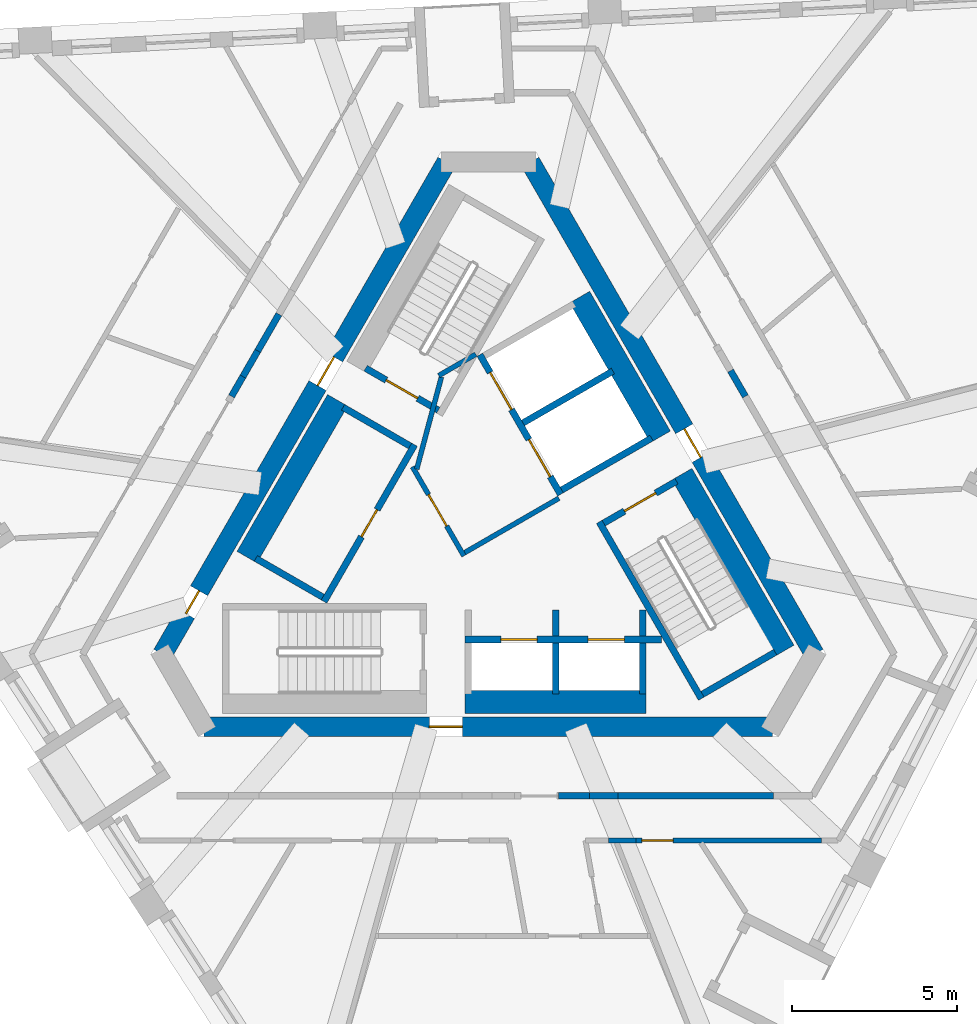
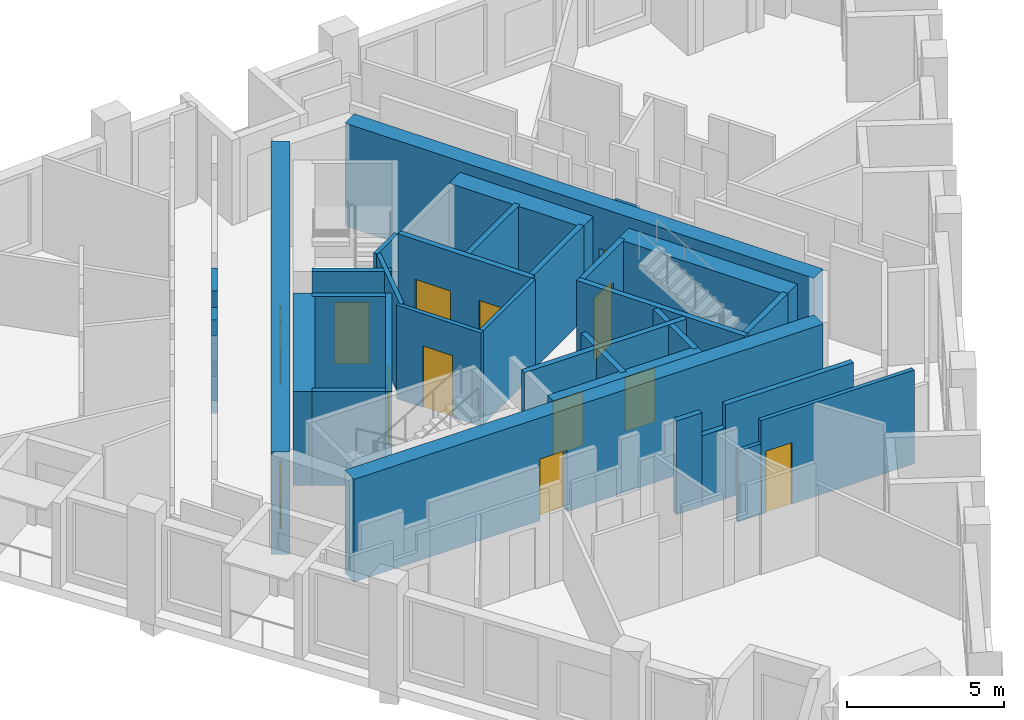
# One storey, part 4 of 12: 35 walls, 13 doors, 13 openings.
"""IFC4 building model written with IfcOpenShell, lengths in metres."""

from ifc_helpers import new_model, si_unit, direction, frame, frame_2d, origin, place, context, subcontext, project, spatial, rectangle, extrude, material, layer, layer_set, type_object, element, fill, save


model = new_model("IFC4")

# Units and contexts
model_context = context("Model", 3, precision=1e-05, world=origin(), true_north=direction((0.0, 1.0)))
body_context = subcontext(model_context, "Body", "Model", "MODEL_VIEW")
ifc_project = project(units=[si_unit("LENGTHUNIT", "METRE"), si_unit("AREAUNIT", "SQUARE_METRE"), si_unit("VOLUMEUNIT", "CUBIC_METRE"), si_unit("PLANEANGLEUNIT", "RADIAN"), si_unit("MASSUNIT", "GRAM", prefix="KILO")], contexts=[model_context])

# Site, building, storey
site_placement = place(None, origin())
site = spatial("IfcSite", under=ifc_project, at=site_placement, CompositionType="ELEMENT")
building_placement = place(site_placement, origin())
building = spatial("IfcBuilding", under=site, at=building_placement, Name="Tramontana Tower", CompositionType="ELEMENT")
storey_placement = place(building_placement, frame((0.0, 0.0, 274.39990234375)))
storey = spatial("IfcBuildingStorey", under=building, at=storey_placement, Name="L64", CompositionType="ELEMENT", Elevation=274.39990234375)

# Wall, openings, doors
ifc_material_1 = material(Name="Concrete 70 MPa", Category="concrete")
ifc_layer_1 = layer(ifc_material_1, 0.60009765625)
ifc_layer_set_1 = layer_set([ifc_layer_1], Name="Core wall 600 70 MPa")
wall_type_1 = type_object("IfcWallType", Name="Core wall 600 70 MPa", PredefinedType="SHEAR", material=ifc_layer_set_1)
wall_1_placement = place(storey_placement, frame((-1.270263671875, 10.699951171875, 0.0), z_axis=(0.0, 0.0, 1.0), x_axis=(-0.499999536116, -0.866025671608, 0.0)))
wall_1 = element("IfcWall", 1, at=wall_1_placement, inside=storey, type_object=wall_type_1, Name="Core wall C1 L64", PredefinedType="SHEAR", context=body_context, shape_type="SweptSolid", body=[
    extrude(rectangle(XDim=17.2626953125, YDim=0.60009765625, at=frame_2d((8.63134765625, 0.0))), origin(), (0.0, 0.0, 1.0), 4.0),
])
opening_1_placement = place(wall_1_placement, frame((6.83642578125, 0.0, 0.0)))
opening_1 = element("IfcOpeningElement", 2, at=opening_1_placement, cuts=wall_1, Name="Opening RG1", PredefinedType="OPENING", context=body_context, shape_type="SweptSolid", body=[
    extrude(rectangle(XDim=1.0, YDim=2.39990234375, at=frame_2d((0.5, 1.199951171875))), frame((0.0, 0.31005859375, 0.0), z_axis=(0.0, -1.0, 0.0), x_axis=(1.0, 0.0, 0.0)), (0.0, 0.0, 1.0), 0.6201171875),
])
opening_2_placement = place(wall_1_placement, frame((15.0341796875, 0.0, 0.0)))
opening_2 = element("IfcOpeningElement", 3, at=opening_2_placement, cuts=wall_1, Name="Opening PD1", PredefinedType="OPENING", context=body_context, shape_type="SweptSolid", body=[
    extrude(rectangle(XDim=0.800048828125, YDim=2.10009765625, at=frame_2d((0.39990234375, 1.050048828125))), frame((0.0, 0.31005859375, 0.0), z_axis=(0.0, -1.0, 0.0), x_axis=(1.0, 0.0, 0.0)), (0.0, 0.0, 1.0), 0.6201171875),
])
ifc_material_2 = material(Name="Painted steel", Category="steel")
door_type_1 = type_object("IfcDoorType", Name="CUPBOARD DOOR 800", OperationType="SINGLE_SWING_LEFT", PredefinedType="DOOR", material=ifc_material_2)
door_1_placement = place(opening_2_placement, origin())
door_1 = element("IfcDoor", 4, at=door_1_placement, inside=storey, type_object=door_type_1, Name="Door PD1", OperationType="SINGLE_SWING_RIGHT", OverallHeight=2.10009765625, OverallWidth=0.800048828125, PredefinedType="DOOR", context=body_context, shape_type="SweptSolid", body=[
    extrude(rectangle(XDim=0.800048828125, YDim=2.10009765625, at=frame_2d((0.39990234375, 1.050048828125))), frame((0.0, 0.02490234375, 0.0), z_axis=(0.0, -1.0, 0.0), x_axis=(1.0, 0.0, 0.0)), (0.0, 0.0, 1.0), 0.050048828125),
])
fill(opening_2, door_1)
ifc_material_3 = material(Name="Painted steel", Category="steel")
door_type_2 = type_object("IfcDoorType", Name="RING DOOR 1000", OperationType="SINGLE_SWING_LEFT", PredefinedType="DOOR", material=ifc_material_3)
door_2_placement = place(opening_1_placement, origin())
door_2 = element("IfcDoor", 5, at=door_2_placement, inside=storey, type_object=door_type_2, Name="Door RG1", OperationType="SINGLE_SWING_LEFT", OverallHeight=2.39990234375, OverallWidth=1.0, PredefinedType="DOOR", context=body_context, shape_type="SweptSolid", body=[
    extrude(rectangle(XDim=1.0, YDim=2.39990234375, at=frame_2d((0.5, 1.199951171875))), frame((0.0, 0.02490234375, 0.0), z_axis=(0.0, -1.0, 0.0), x_axis=(1.0, 0.0, 0.0)), (0.0, 0.0, 1.0), 0.050048828125),
])
fill(opening_1, door_2)

# Wall, opening, door
wall_2_placement = place(storey_placement, frame((-8.63134765625, -6.449951171875, 0.0), z_axis=(0.0, 0.0, 1.0), x_axis=(1.0, 0.0, 0.0)))
wall_2 = element("IfcWall", 6, at=wall_2_placement, inside=storey, type_object=wall_type_1, Name="Core wall C3 L64", PredefinedType="SHEAR", context=body_context, shape_type="SweptSolid", body=[
    extrude(rectangle(XDim=17.2626953125, YDim=0.60009765625, at=frame_2d((8.63134765625, 0.0))), origin(), (0.0, 0.0, 1.0), 4.0),
])
opening_3_placement = place(wall_2_placement, frame((6.83642578125, 0.0, 0.0)))
opening_3 = element("IfcOpeningElement", 7, at=opening_3_placement, cuts=wall_2, Name="Opening RG2", PredefinedType="OPENING", context=body_context, shape_type="SweptSolid", body=[
    extrude(rectangle(XDim=1.0, YDim=2.39990234375, at=frame_2d((0.5, 1.199951171875))), frame((0.0, 0.31005859375, 0.0), z_axis=(0.0, -1.0, 0.0), x_axis=(1.0, 0.0, 0.0)), (0.0, 0.0, 1.0), 0.6201171875),
])
door_3_placement = place(opening_3_placement, origin())
door_3 = element("IfcDoor", 8, at=door_3_placement, inside=storey, type_object=door_type_2, Name="Door RG2", OperationType="SINGLE_SWING_RIGHT", OverallHeight=2.39990234375, OverallWidth=1.0, PredefinedType="DOOR", context=body_context, shape_type="SweptSolid", body=[
    extrude(rectangle(XDim=1.0, YDim=2.39990234375, at=frame_2d((0.5, 1.199951171875))), frame((0.0, 0.02490234375, 0.0), z_axis=(0.0, -1.0, 0.0), x_axis=(1.0, 0.0, 0.0)), (0.0, 0.0, 1.0), 0.050048828125),
])
fill(opening_3, door_3)

wall_3_placement = place(storey_placement, frame((9.901611328125, -4.25, 0.0), z_axis=(0.0, 0.0, 1.0), x_axis=(-0.499999536116, 0.866025671608, 0.0)))
wall_3 = element("IfcWall", 9, at=wall_3_placement, inside=storey, type_object=wall_type_1, Name="Core wall C5 L64", PredefinedType="SHEAR", context=body_context, shape_type="SweptSolid", body=[
    extrude(rectangle(XDim=17.2626953125, YDim=0.60009765625, at=frame_2d((8.63134765625, 0.0))), origin(), (0.0, 0.0, 1.0), 4.0),
])
opening_4_placement = place(wall_3_placement, frame((6.906494140625, 0.0, 0.0)))
opening_4 = element("IfcOpeningElement", 10, at=opening_4_placement, cuts=wall_3, Name="Opening RG3", PredefinedType="OPENING", context=body_context, shape_type="SweptSolid", body=[
    extrude(rectangle(XDim=1.0, YDim=2.39990234375, at=frame_2d((0.5, 1.199951171875))), frame((0.0, 0.31005859375, 0.0), z_axis=(0.0, -1.0, 0.0), x_axis=(1.0, 0.0, 0.0)), (0.0, 0.0, 1.0), 0.6201171875),
])
door_4_placement = place(opening_4_placement, origin())
door_4 = element("IfcDoor", 11, at=door_4_placement, inside=storey, type_object=door_type_2, Name="Door RG3", OperationType="SINGLE_SWING_LEFT", OverallHeight=2.39990234375, OverallWidth=1.0, PredefinedType="DOOR", context=body_context, shape_type="SweptSolid", body=[
    extrude(rectangle(XDim=1.0, YDim=2.39990234375, at=frame_2d((0.5, 1.199951171875))), frame((0.0, 0.02490234375, 0.0), z_axis=(0.0, -1.0, 0.0), x_axis=(1.0, 0.0, 0.0)), (0.0, 0.0, 1.0), 0.050048828125),
])
fill(opening_4, door_4)

# Walls
ifc_material_4 = material(Name="Blockwork", Category="masonry")
ifc_layer_2 = layer(ifc_material_4, 0.199951171875)
ifc_layer_set_2 = layer_set([ifc_layer_2], Name="ENTRY WALL 200")
wall_type_2 = type_object("IfcWallType", Name="ENTRY WALL 200", PredefinedType="SOLIDWALL", material=ifc_layer_set_2)
wall_4_placement = place(storey_placement, frame((8.6552734375, -8.550048828125, 0.0), z_axis=(0.0, 0.0, 1.0), x_axis=(-1.0, 0.0, 0.0)))
element("IfcWall", 12, at=wall_4_placement, inside=storey, type_object=wall_type_2, Name="Wall v70-ew1-1", PredefinedType="SOLIDWALL", context=body_context, shape_type="SweptSolid", body=[
    extrude(rectangle(XDim=4.71728515625, YDim=0.199951171875, at=frame_2d((2.358642578125, 0.0))), origin(), (0.0, 0.0, 1.0), 3.650146484375),
])
wall_5_placement = place(storey_placement, frame((3.93798828125, -8.550048828125, 0.0), z_axis=(0.0, 0.0, 1.0), x_axis=(-1.0, 0.0, 0.0)))
element("IfcWall", 13, at=wall_5_placement, inside=storey, type_object=wall_type_2, Name="Wall v70-ew1-2", PredefinedType="SOLIDWALL", context=body_context, shape_type="SweptSolid", body=[
    extrude(rectangle(XDim=0.864501953125, YDim=0.199951171875, at=frame_2d((0.43212890625, 0.0))), origin(), (0.0, 0.0, 1.0), 2.75),
])
wall_6_placement = place(storey_placement, frame((3.073486328125, -8.550048828125, 0.0), z_axis=(0.0, 0.0, 1.0), x_axis=(-1.0, 0.0, 0.0)))
element("IfcWall", 14, at=wall_6_placement, inside=storey, type_object=wall_type_2, Name="Wall v70-ew1-3", PredefinedType="SOLIDWALL", context=body_context, shape_type="SweptSolid", body=[
    extrude(rectangle(XDim=0.939208984375, YDim=0.199951171875, at=frame_2d((0.4697265625, 0.0))), origin(), (0.0, 0.0, 1.0), 3.650146484375),
])
wall_7_placement = place(storey_placement, frame((-7.80224609375, 3.586181640625, 0.0), z_axis=(0.0, 0.0, 1.0), x_axis=(0.500242282693, 0.865885476611, 0.0)))
element("IfcWall", 15, at=wall_7_placement, inside=storey, type_object=wall_type_2, Name="Wall v70-ew3-5", PredefinedType="SOLIDWALL", context=body_context, shape_type="SweptSolid", body=[
    extrude(rectangle(XDim=0.691162109375, YDim=0.199951171875, at=frame_2d((0.345703125, 0.0))), origin(), (0.0, 0.0, 1.0), 3.650146484375),
])
wall_8_placement = place(storey_placement, frame((-7.45654296875, 4.1845703125, 0.0), z_axis=(0.0, 0.0, 1.0), x_axis=(0.499753735824, 0.866167537795, 0.0)))
element("IfcWall", 16, at=wall_8_placement, inside=storey, type_object=wall_type_2, Name="Wall v70-ew3-6", PredefinedType="SOLIDWALL", context=body_context, shape_type="SweptSolid", body=[
    extrude(rectangle(XDim=0.90087890625, YDim=0.199951171875, at=frame_2d((0.450439453125, 0.0))), origin(), (0.0, 0.0, 1.0), 2.550048828125),
])
wall_9_placement = place(storey_placement, frame((-7.00634765625, 4.96484375, 0.0), z_axis=(0.0, 0.0, 1.0), x_axis=(0.500018234033, 0.866014876105, 0.0)))
element("IfcWall", 17, at=wall_9_placement, inside=storey, type_object=wall_type_2, Name="Wall v70-ew3-7", PredefinedType="SOLIDWALL", context=body_context, shape_type="SweptSolid", body=[
    extrude(rectangle(XDim=1.2861328125, YDim=0.199951171875, at=frame_2d((0.64306640625, 0.0))), origin(), (0.0, 0.0, 1.0), 3.650146484375),
])
wall_10_placement = place(storey_placement, frame((7.352294921875, 4.365234375, 0.0), z_axis=(0.0, 0.0, 1.0), x_axis=(0.500074377092, -0.865982457891, 0.0)))
element("IfcWall", 18, at=wall_10_placement, inside=storey, type_object=wall_type_2, Name="Wall v70-ew5-6", PredefinedType="SOLIDWALL", context=body_context, shape_type="SweptSolid", body=[
    extrude(rectangle(XDim=0.900634765625, YDim=0.199951171875, at=frame_2d((0.4501953125, 0.0))), origin(), (0.0, 0.0, 1.0), 2.550048828125),
])

# Wall, opening, door
ifc_material_5 = material(Name="Gypsum board partition")
ifc_layer_3 = layer(ifc_material_5, 0.14990234375)
ifc_layer_set_3 = layer_set([ifc_layer_3], Name="PARTITION 150")
wall_type_3 = type_object("IfcWallType", Name="PARTITION 150", PredefinedType="PARTITIONING", material=ifc_layer_set_3)
wall_11_placement = place(storey_placement, frame((-0.744140625, -1.260986328125, 0.0), z_axis=(0.0, 0.0, 1.0), x_axis=(-0.500004234368, 0.866022959057, 0.0)))
wall_11 = element("IfcWall", 19, at=wall_11_placement, inside=storey, type_object=wall_type_3, Name="Wall ff-front", PredefinedType="PARTITIONING", context=body_context, shape_type="SweptSolid", body=[
    extrude(rectangle(XDim=3.125, YDim=0.14990234375, at=frame_2d((1.5625, 0.0))), origin(), (0.0, 0.0, 1.0), 3.650146484375),
])
opening_5_placement = place(wall_11_placement, frame((1.050048828125, 0.0, 0.0)))
opening_5 = element("IfcOpeningElement", 20, at=opening_5_placement, cuts=wall_11, Name="Opening FD1", PredefinedType="OPENING", context=body_context, shape_type="SweptSolid", body=[
    extrude(rectangle(XDim=1.10009765625, YDim=2.39990234375, at=frame_2d((0.550048828125, 1.199951171875))), frame((0.0, 0.0849609375, 0.0), z_axis=(0.0, -1.0, 0.0), x_axis=(1.0, 0.0, 0.0)), (0.0, 0.0, 1.0), 0.169921875),
])
ifc_material_6 = material(Name="Painted timber", Category="wood")
door_type_3 = type_object("IfcDoorType", Name="DOOR ENTRY 1100", OperationType="SINGLE_SWING_LEFT", PredefinedType="DOOR", material=ifc_material_6)
door_5_placement = place(opening_5_placement, origin())
door_5 = element("IfcDoor", 21, at=door_5_placement, inside=storey, type_object=door_type_3, Name="Door FD1", OperationType="SINGLE_SWING_RIGHT", OverallHeight=2.39990234375, OverallWidth=1.10009765625, PredefinedType="DOOR", context=body_context, shape_type="SweptSolid", body=[
    extrude(rectangle(XDim=1.10009765625, YDim=2.39990234375, at=frame_2d((0.550048828125, 1.199951171875))), frame((0.0, 0.02490234375, 0.0), z_axis=(0.0, -1.0, 0.0), x_axis=(1.0, 0.0, 0.0)), (0.0, 0.0, 1.0), 0.050048828125),
])
fill(opening_5, door_5)

# Walls
wall_12_placement = place(storey_placement, frame((-0.716796875, -1.15869140625, 0.0), z_axis=(0.0, 0.0, 1.0), x_axis=(0.866008176907, 0.50002983664, 0.0)))
element("IfcWall", 22, at=wall_12_placement, inside=storey, type_object=wall_type_3, Name="Wall ff-end0", PredefinedType="PARTITIONING", context=body_context, shape_type="SweptSolid", body=[
    extrude(rectangle(XDim=3.300048828125, YDim=0.14990234375, at=frame_2d((1.64990234375, 0.0))), origin(), (0.0, 0.0, 1.0), 3.650146484375),
])
wall_13_placement = place(storey_placement, frame((-2.177978515625, 1.372314453125, 0.0), z_axis=(0.0, 0.0, 1.0), x_axis=(0.258808958833, 0.96592852884, 0.0)))
element("IfcWall", 23, at=wall_13_placement, inside=storey, type_object=wall_type_3, Name="Wall ff-diag", PredefinedType="PARTITIONING", context=body_context, shape_type="SweptSolid", body=[
    extrude(rectangle(XDim=2.902587890625, YDim=0.14990234375, at=frame_2d((1.451171875, 0.0))), origin(), (0.0, 0.0, 1.0), 3.650146484375),
])
wall_14_placement = place(storey_placement, frame((-1.509765625, 4.21484375, 0.0), z_axis=(0.0, 0.0, 1.0), x_axis=(0.866085525409, 0.49989585183, 0.0)))
element("IfcWall", 24, at=wall_14_placement, inside=storey, type_object=wall_type_3, Name="Wall ff-end1", PredefinedType="PARTITIONING", context=body_context, shape_type="SweptSolid", body=[
    extrude(rectangle(XDim=1.300048828125, YDim=0.14990234375, at=frame_2d((0.64990234375, 0.0))), origin(), (0.0, 0.0, 1.0), 3.650146484375),
])

# Wall, opening, door
wall_15_placement = place(storey_placement, frame((10.121337890625, -9.89990234375, 0.0), z_axis=(0.0, 0.0, 1.0), x_axis=(-1.0, 0.0, 0.0)))
wall_15 = element("IfcWall", 25, at=wall_15_placement, inside=storey, type_object=wall_type_3, Name="Wall v70-pw26-1", PredefinedType="PARTITIONING", context=body_context, shape_type="SweptSolid", body=[
    extrude(rectangle(XDim=5.643310546875, YDim=0.14990234375, at=frame_2d((2.82177734375, 0.0))), origin(), (0.0, 0.0, 1.0), 3.650146484375),
])
opening_6_placement = place(wall_15_placement, frame((4.509765625, 0.0, 0.0)))
opening_6 = element("IfcOpeningElement", 26, at=opening_6_placement, cuts=wall_15, Name="Opening B7A-12", PredefinedType="OPENING", context=body_context, shape_type="SweptSolid", body=[
    extrude(rectangle(XDim=0.949951171875, YDim=2.39990234375, at=frame_2d((0.47509765625, 1.199951171875))), frame((0.0, 0.0849609375, 0.0), z_axis=(0.0, -1.0, 0.0), x_axis=(1.0, 0.0, 0.0)), (0.0, 0.0, 1.0), 0.169921875),
])
ifc_material_7 = material(Name="Painted timber", Category="wood")
door_type_4 = type_object("IfcDoorType", Name="DOOR ROOM 950", OperationType="SINGLE_SWING_LEFT", PredefinedType="DOOR", material=ifc_material_7)
door_6_placement = place(opening_6_placement, origin())
door_6 = element("IfcDoor", 27, at=door_6_placement, inside=storey, type_object=door_type_4, Name="Door B7A-12", OperationType="SINGLE_SWING_RIGHT", OverallHeight=2.39990234375, OverallWidth=0.949951171875, PredefinedType="DOOR", context=body_context, shape_type="SweptSolid", body=[
    extrude(rectangle(XDim=0.949951171875, YDim=2.39990234375, at=frame_2d((0.47509765625, 1.199951171875))), frame((0.0, 0.02490234375, 0.0), z_axis=(0.0, -1.0, 0.0), x_axis=(1.0, 0.0, 0.0)), (0.0, 0.0, 1.0), 0.050048828125),
])
fill(opening_6, door_6)

# Walls
wall_16_placement = place(storey_placement, frame((4.47802734375, -9.89990234375, 0.0), z_axis=(0.0, 0.0, 1.0), x_axis=(-1.0, 0.0, 0.0)))
element("IfcWall", 28, at=wall_16_placement, inside=storey, type_object=wall_type_3, Name="Wall v70-pw26-2", PredefinedType="PARTITIONING", context=body_context, shape_type="SweptSolid", body=[
    extrude(rectangle(XDim=0.837646484375, YDim=0.14990234375, at=frame_2d((0.4189453125, 0.0))), origin(), (0.0, 0.0, 1.0), 2.75),
])
ifc_material_8 = material(Name="Concrete 70 MPa", Category="concrete")
ifc_layer_4 = layer(ifc_material_8, 0.699951171875)
ifc_layer_set_4 = layer_set([ifc_layer_4], Name="Concrete 70 MPa, 700 mm")
wall_type_4 = type_object("IfcWallType", Name="RC SHAFT BACK WALL 700", PredefinedType="SOLIDWALL", material=ifc_layer_set_4)
wall_17_placement = place(storey_placement, frame((8.976318359375, -4.1474609375, 0.0), z_axis=(0.0, 0.0, 1.0), x_axis=(-0.49998037582, 0.866036733513, 0.0)))
element("IfcWall", 29, at=wall_17_placement, inside=storey, type_object=wall_type_4, Name="Wall st3-back", PredefinedType="SOLIDWALL", context=body_context, shape_type="SweptSolid", body=[
    extrude(rectangle(XDim=6.199951171875, YDim=0.699951171875, at=frame_2d((3.10009765625, 0.0))), origin(), (0.0, 0.0, 1.0), 3.650146484375),
])
for number, where, z_axis, x_axis, name in (
    (30, (-4.581298828125, 3.46484375, 0.0), (0.0, 0.0, 1.0), (-0.499996545922, -0.866027397988, 0.0), "Wall row0-back"),
    (31, (-0.7099609375, -5.699951171875, 0.0), (0.0, 0.0, 1.0), (1.0, 0.0, 0.0), "Wall row1-back"),
):
    element("IfcWall", number, at=place(storey_placement, frame(where, z_axis=z_axis, x_axis=x_axis)), inside=storey, type_object=wall_type_4, Name=name, PredefinedType="SOLIDWALL", context=body_context, shape_type="SweptSolid", body=[
        extrude(rectangle(XDim=5.5, YDim=0.699951171875, at=frame_2d((2.75, 0.0))), origin(), (0.0, 0.0, 1.0), 3.650146484375),
    ])
wall_18_placement = place(storey_placement, frame((5.221435546875, 2.3564453125, 0.0), z_axis=(0.0, 0.0, 1.0), x_axis=(-0.500040169509, 0.866002210665, 0.0)))
element("IfcWall", 32, at=wall_18_placement, inside=storey, type_object=wall_type_4, Name="Wall row2-back", PredefinedType="SOLIDWALL", context=body_context, shape_type="SweptSolid", body=[
    extrude(rectangle(XDim=4.89990234375, YDim=0.699951171875, at=frame_2d((2.449951171875, 0.0))), origin(), (0.0, 0.0, 1.0), 3.650146484375),
])

# Wall, opening, door
ifc_material_9 = material(Name="Concrete 70 MPa", Category="concrete")
ifc_layer_5 = layer(ifc_material_9, 0.199951171875)
ifc_layer_set_5 = layer_set([ifc_layer_5], Name="Concrete 70 MPa, 200 mm")
wall_type_5 = type_object("IfcWallType", Name="RC STAIR AND SHAFT WALL 200", PredefinedType="SOLIDWALL", material=ifc_layer_set_5)
wall_19_placement = place(storey_placement, frame((-1.521484375, 3.164794921875, 0.0), z_axis=(0.0, 0.0, 1.0), x_axis=(-0.866030925526, 0.499990435942, 0.0)))
wall_19 = element("IfcWall", 33, at=wall_19_placement, inside=storey, type_object=wall_type_5, Name="Wall st1-near", PredefinedType="SOLIDWALL", context=body_context, shape_type="SweptSolid", body=[
    extrude(rectangle(XDim=2.5498046875, YDim=0.199951171875, at=frame_2d((1.27490234375, 0.0))), origin(), (0.0, 0.0, 1.0), 3.650146484375),
])
opening_7_placement = place(wall_19_placement, frame((0.72509765625, 0.0, 0.0)))
opening_7 = element("IfcOpeningElement", 34, at=opening_7_placement, cuts=wall_19, Name="Opening SD1", PredefinedType="OPENING", context=body_context, shape_type="SweptSolid", body=[
    extrude(rectangle(XDim=1.10009765625, YDim=2.39990234375, at=frame_2d((0.550048828125, 1.199951171875))), frame((0.0, 0.10986328125, 0.0), z_axis=(0.0, -1.0, 0.0), x_axis=(1.0, 0.0, 0.0)), (0.0, 0.0, 1.0), 0.219970703125),
])
ifc_material_10 = material(Name="Painted steel", Category="steel")
door_type_5 = type_object("IfcDoorType", Name="STAIR DOOR 1100", OperationType="SINGLE_SWING_LEFT", PredefinedType="DOOR", material=ifc_material_10)
door_7_placement = place(opening_7_placement, origin())
door_7 = element("IfcDoor", 35, at=door_7_placement, inside=storey, type_object=door_type_5, Name="Door SD1", OperationType="SINGLE_SWING_RIGHT", OverallHeight=2.39990234375, OverallWidth=1.10009765625, PredefinedType="DOOR", context=body_context, shape_type="SweptSolid", body=[
    extrude(rectangle(XDim=1.10009765625, YDim=2.39990234375, at=frame_2d((0.550048828125, 1.199951171875))), frame((0.0, 0.02490234375, 0.0), z_axis=(0.0, -1.0, 0.0), x_axis=(1.0, 0.0, 0.0)), (0.0, 0.0, 1.0), 0.050048828125),
])
fill(opening_7, door_7)

# Walls
wall_20_placement = place(storey_placement, frame((6.46484375, -5.597412109375, 0.0), z_axis=(0.0, 0.0, 1.0), x_axis=(-0.49998037582, 0.866036733513, 0.0)))
element("IfcWall", 36, at=wall_20_placement, inside=storey, type_object=wall_type_5, Name="Wall st3-front", PredefinedType="SOLIDWALL", context=body_context, shape_type="SweptSolid", body=[
    extrude(rectangle(XDim=6.199951171875, YDim=0.199951171875, at=frame_2d((3.10009765625, 0.0))), origin(), (0.0, 0.0, 1.0), 3.650146484375),
])
wall_21_placement = place(storey_placement, frame((6.50146484375, -5.4609375, 0.0), z_axis=(0.0, 0.0, 1.0), x_axis=(0.865989465428, 0.500062241894, 0.0)))
element("IfcWall", 37, at=wall_21_placement, inside=storey, type_object=wall_type_5, Name="Wall st3-far", PredefinedType="SOLIDWALL", context=body_context, shape_type="SweptSolid", body=[
    extrude(rectangle(XDim=2.550048828125, YDim=0.199951171875, at=frame_2d((1.27490234375, 0.0))), origin(), (0.0, 0.0, 1.0), 3.650146484375),
])

# Wall, opening, door
wall_22_placement = place(storey_placement, frame((3.50146484375, -0.2646484375, 0.0), z_axis=(0.0, 0.0, 1.0), x_axis=(0.866030925526, 0.499990435942, 0.0)))
wall_22 = element("IfcWall", 38, at=wall_22_placement, inside=storey, type_object=wall_type_5, Name="Wall st3-near", PredefinedType="SOLIDWALL", context=body_context, shape_type="SweptSolid", body=[
    extrude(rectangle(XDim=2.5498046875, YDim=0.199951171875, at=frame_2d((1.27490234375, 0.0))), origin(), (0.0, 0.0, 1.0), 3.650146484375),
])
opening_8_placement = place(wall_22_placement, frame((0.72509765625, 0.0, 0.0)))
opening_8 = element("IfcOpeningElement", 39, at=opening_8_placement, cuts=wall_22, Name="Opening SD3", PredefinedType="OPENING", context=body_context, shape_type="SweptSolid", body=[
    extrude(rectangle(XDim=1.10009765625, YDim=2.39990234375, at=frame_2d((0.550048828125, 1.199951171875))), frame((0.0, 0.10986328125, 0.0), z_axis=(0.0, -1.0, 0.0), x_axis=(1.0, 0.0, 0.0)), (0.0, 0.0, 1.0), 0.219970703125),
])
door_8_placement = place(opening_8_placement, origin())
door_8 = element("IfcDoor", 40, at=door_8_placement, inside=storey, type_object=door_type_5, Name="Door SD3", OperationType="SINGLE_SWING_RIGHT", OverallHeight=2.39990234375, OverallWidth=1.10009765625, PredefinedType="DOOR", context=body_context, shape_type="SweptSolid", body=[
    extrude(rectangle(XDim=1.10009765625, YDim=2.39990234375, at=frame_2d((0.550048828125, 1.199951171875))), frame((0.0, 0.02490234375, 0.0), z_axis=(0.0, -1.0, 0.0), x_axis=(1.0, 0.0, 0.0)), (0.0, 0.0, 1.0), 0.050048828125),
])
fill(opening_8, door_8)

wall_23_placement = place(storey_placement, frame((-4.9931640625, -2.648193359375, 0.0), z_axis=(0.0, 0.0, 1.0), x_axis=(0.499996545922, 0.866027397988, 0.0)))
wall_23 = element("IfcWall", 41, at=wall_23_placement, inside=storey, type_object=wall_type_5, Name="Wall row0-front", PredefinedType="SOLIDWALL", context=body_context, shape_type="SweptSolid", body=[
    extrude(rectangle(XDim=5.5, YDim=0.199951171875, at=frame_2d((2.75, 0.0))), origin(), (0.0, 0.0, 1.0), 3.650146484375),
])
opening_9_placement = place(wall_23_placement, frame((2.27490234375, 0.0, 0.0)))
opening_9 = element("IfcOpeningElement", 42, at=opening_9_placement, cuts=wall_23, Name="Opening RD-0", PredefinedType="OPENING", context=body_context, shape_type="SweptSolid", body=[
    extrude(rectangle(XDim=0.949951171875, YDim=2.39990234375, at=frame_2d((0.47509765625, 1.199951171875))), frame((0.0, 0.10986328125, 0.0), z_axis=(0.0, -1.0, 0.0), x_axis=(1.0, 0.0, 0.0)), (0.0, 0.0, 1.0), 0.219970703125),
])
door_9_placement = place(opening_9_placement, origin())
door_9 = element("IfcDoor", 43, at=door_9_placement, inside=storey, type_object=door_type_4, Name="Door RD-0", OperationType="SINGLE_SWING_LEFT", OverallHeight=2.39990234375, OverallWidth=0.949951171875, PredefinedType="DOOR", context=body_context, shape_type="SweptSolid", body=[
    extrude(rectangle(XDim=0.949951171875, YDim=2.39990234375, at=frame_2d((0.47509765625, 1.199951171875))), frame((0.0, 0.02490234375, 0.0), z_axis=(0.0, -1.0, 0.0), x_axis=(1.0, 0.0, 0.0)), (0.0, 0.0, 1.0), 0.050048828125),
])
fill(opening_9, door_9)

# Walls
wall_24_placement = place(storey_placement, frame((-2.379638671875, 2.078369140625, 0.0), z_axis=(0.0, 0.0, 1.0), x_axis=(-0.866061024631, 0.499938297808, 0.0)))
element("IfcWall", 44, at=wall_24_placement, inside=storey, type_object=wall_type_5, Name="Wall row0-side0", PredefinedType="SOLIDWALL", context=body_context, shape_type="SweptSolid", body=[
    extrude(rectangle(XDim=2.349853515625, YDim=0.199951171875, at=frame_2d((1.1748046875, 0.0))), origin(), (0.0, 0.0, 1.0), 3.650146484375),
])
wall_25_placement = place(storey_placement, frame((-5.02978515625, -2.51171875, 0.0), z_axis=(0.0, 0.0, 1.0), x_axis=(-0.866016039709, 0.500016218704, 0.0)))
element("IfcWall", 45, at=wall_25_placement, inside=storey, type_object=wall_type_5, Name="Wall row0-side2", PredefinedType="SOLIDWALL", context=body_context, shape_type="SweptSolid", body=[
    extrude(rectangle(XDim=2.35009765625, YDim=0.199951171875, at=frame_2d((1.175048828125, 0.0))), origin(), (0.0, 0.0, 1.0), 3.650146484375),
])

# Wall, openings, doors
wall_26_placement = place(storey_placement, frame((-0.7099609375, -3.800048828125, 0.0), z_axis=(0.0, 0.0, 1.0), x_axis=(1.0, 0.0, 0.0)))
wall_26 = element("IfcWall", 46, at=wall_26_placement, inside=storey, type_object=wall_type_5, Name="Wall row1-front", PredefinedType="SOLIDWALL", context=body_context, shape_type="SweptSolid", body=[
    extrude(rectangle(XDim=5.96142578125, YDim=0.199951171875, at=frame_2d((2.980712890625, 0.0))), origin(), (0.0, 0.0, 1.0), 3.650146484375),
])
opening_10_placement = place(wall_26_placement, frame((1.090087890625, 0.0, 0.0)))
opening_10 = element("IfcOpeningElement", 47, at=opening_10_placement, cuts=wall_26, Name="Opening LD-S1", PredefinedType="OPENING", context=body_context, shape_type="SweptSolid", body=[
    extrude(rectangle(XDim=1.10009765625, YDim=2.10009765625, at=frame_2d((0.550048828125, 1.050048828125))), frame((0.0, 0.10986328125, 0.0), z_axis=(0.0, -1.0, 0.0), x_axis=(1.0, 0.0, 0.0)), (0.0, 0.0, 1.0), 0.219970703125),
])
opening_11_placement = place(wall_26_placement, frame((3.739990234375, 0.0, 0.0)))
opening_11 = element("IfcOpeningElement", 48, at=opening_11_placement, cuts=wall_26, Name="Opening LD-S2", PredefinedType="OPENING", context=body_context, shape_type="SweptSolid", body=[
    extrude(rectangle(XDim=1.10009765625, YDim=2.10009765625, at=frame_2d((0.550048828125, 1.050048828125))), frame((0.0, 0.10986328125, 0.0), z_axis=(0.0, -1.0, 0.0), x_axis=(1.0, 0.0, 0.0)), (0.0, 0.0, 1.0), 0.219970703125),
])
ifc_material_11 = material(Name="Brushed steel", Category="steel")
door_type_6 = type_object("IfcDoorType", Name="LANDING DOOR 1100", OperationType="SINGLE_SWING_LEFT", PredefinedType="DOOR", material=ifc_material_11)
door_10_placement = place(opening_10_placement, origin())
door_10 = element("IfcDoor", 49, at=door_10_placement, inside=storey, type_object=door_type_6, Name="Door LD-S1", OperationType="SLIDING_TO_RIGHT", OverallHeight=2.10009765625, OverallWidth=1.10009765625, PredefinedType="DOOR", context=body_context, shape_type="SweptSolid", body=[
    extrude(rectangle(XDim=1.10009765625, YDim=2.10009765625, at=frame_2d((0.550048828125, 1.050048828125))), frame((0.0, 0.02490234375, 0.0), z_axis=(0.0, -1.0, 0.0), x_axis=(1.0, 0.0, 0.0)), (0.0, 0.0, 1.0), 0.050048828125),
])
fill(opening_10, door_10)
door_11_placement = place(opening_11_placement, origin())
door_11 = element("IfcDoor", 50, at=door_11_placement, inside=storey, type_object=door_type_6, Name="Door LD-S2", OperationType="SLIDING_TO_LEFT", OverallHeight=2.10009765625, OverallWidth=1.10009765625, PredefinedType="DOOR", context=body_context, shape_type="SweptSolid", body=[
    extrude(rectangle(XDim=1.10009765625, YDim=2.10009765625, at=frame_2d((0.550048828125, 1.050048828125))), frame((0.0, 0.02490234375, 0.0), z_axis=(0.0, -1.0, 0.0), x_axis=(1.0, 0.0, 0.0)), (0.0, 0.0, 1.0), 0.050048828125),
])
fill(opening_11, door_11)

# Walls
wall_27_placement = place(storey_placement, frame((2.0400390625, -3.89990234375, 0.0), z_axis=(0.0, 0.0, 1.0), x_axis=(0.0, -1.0, 0.0)))
element("IfcWall", 51, at=wall_27_placement, inside=storey, type_object=wall_type_5, Name="Wall row1-side1", PredefinedType="SOLIDWALL", context=body_context, shape_type="SweptSolid", body=[
    extrude(rectangle(XDim=1.550048828125, YDim=0.199951171875, at=frame_2d((0.77490234375, 0.0))), origin(), (0.0, 0.0, 1.0), 3.650146484375),
])
wall_28_placement = place(storey_placement, frame((2.0400390625, -2.89990234375, 0.0), z_axis=(0.0, 0.0, 1.0), x_axis=(0.0, -1.0, 0.0)))
element("IfcWall", 52, at=wall_28_placement, inside=storey, type_object=wall_type_5, Name="Wall row1-side1-ret", PredefinedType="SOLIDWALL", context=body_context, shape_type="SweptSolid", body=[
    extrude(rectangle(XDim=0.800048828125, YDim=0.199951171875, at=frame_2d((0.39990234375, 0.0))), origin(), (0.0, 0.0, 1.0), 3.650146484375),
])
wall_29_placement = place(storey_placement, frame((4.68994140625, -3.89990234375, 0.0), z_axis=(0.0, 0.0, 1.0), x_axis=(0.0, -1.0, 0.0)))
element("IfcWall", 53, at=wall_29_placement, inside=storey, type_object=wall_type_5, Name="Wall row1-side2", PredefinedType="SOLIDWALL", context=body_context, shape_type="SweptSolid", body=[
    extrude(rectangle(XDim=1.550048828125, YDim=0.199951171875, at=frame_2d((0.77490234375, 0.0))), origin(), (0.0, 0.0, 1.0), 3.650146484375),
])
wall_30_placement = place(storey_placement, frame((4.68994140625, -2.89990234375, 0.0), z_axis=(0.0, 0.0, 1.0), x_axis=(0.0, -1.0, 0.0)))
element("IfcWall", 54, at=wall_30_placement, inside=storey, type_object=wall_type_5, Name="Wall row1-side2-ret", PredefinedType="SOLIDWALL", context=body_context, shape_type="SweptSolid", body=[
    extrude(rectangle(XDim=0.800048828125, YDim=0.199951171875, at=frame_2d((0.39990234375, 0.0))), origin(), (0.0, 0.0, 1.0), 3.650146484375),
])

# Wall, openings, doors
wall_31_placement = place(storey_placement, frame((2.190185546875, 0.6064453125, 0.0), z_axis=(0.0, 0.0, 1.0), x_axis=(-0.500002801628, 0.866023786258, 0.0)))
wall_31 = element("IfcWall", 55, at=wall_31_placement, inside=storey, type_object=wall_type_5, Name="Wall row2-front", PredefinedType="SOLIDWALL", context=body_context, shape_type="SweptSolid", body=[
    extrude(rectangle(XDim=4.89990234375, YDim=0.199951171875, at=frame_2d((2.449951171875, 0.0))), origin(), (0.0, 0.0, 1.0), 3.650146484375),
])
opening_12_placement = place(wall_31_placement, frame((0.625, 0.0, 0.0)))
opening_12 = element("IfcOpeningElement", 56, at=opening_12_placement, cuts=wall_31, Name="Opening LD-F1", PredefinedType="OPENING", context=body_context, shape_type="SweptSolid", body=[
    extrude(rectangle(XDim=1.300048828125, YDim=2.10009765625, at=frame_2d((0.64990234375, 1.050048828125))), frame((0.0, 0.10986328125, 0.0), z_axis=(0.0, -1.0, 0.0), x_axis=(1.0, 0.0, 0.0)), (0.0, 0.0, 1.0), 0.219970703125),
])
opening_13_placement = place(wall_31_placement, frame((2.97509765625, 0.0, 0.0)))
opening_13 = element("IfcOpeningElement", 57, at=opening_13_placement, cuts=wall_31, Name="Opening LD-F2", PredefinedType="OPENING", context=body_context, shape_type="SweptSolid", body=[
    extrude(rectangle(XDim=1.300048828125, YDim=2.10009765625, at=frame_2d((0.64990234375, 1.050048828125))), frame((0.0, 0.10986328125, 0.0), z_axis=(0.0, -1.0, 0.0), x_axis=(1.0, 0.0, 0.0)), (0.0, 0.0, 1.0), 0.219970703125),
])
ifc_material_12 = material(Name="Brushed steel", Category="steel")
door_type_7 = type_object("IfcDoorType", Name="LANDING DOOR 1300", OperationType="SINGLE_SWING_LEFT", PredefinedType="DOOR", material=ifc_material_12)
door_12_placement = place(opening_12_placement, origin())
door_12 = element("IfcDoor", 58, at=door_12_placement, inside=storey, type_object=door_type_7, Name="Door LD-F1", OperationType="SLIDING_TO_RIGHT", OverallHeight=2.10009765625, OverallWidth=1.300048828125, PredefinedType="DOOR", context=body_context, shape_type="SweptSolid", body=[
    extrude(rectangle(XDim=1.300048828125, YDim=2.10009765625, at=frame_2d((0.64990234375, 1.050048828125))), frame((0.0, 0.02490234375, 0.0), z_axis=(0.0, -1.0, 0.0), x_axis=(1.0, 0.0, 0.0)), (0.0, 0.0, 1.0), 0.050048828125),
])
fill(opening_12, door_12)
door_13_placement = place(opening_13_placement, origin())
door_13 = element("IfcDoor", 59, at=door_13_placement, inside=storey, type_object=door_type_7, Name="Door LD-F2", OperationType="SLIDING_TO_LEFT", OverallHeight=2.10009765625, OverallWidth=1.300048828125, PredefinedType="DOOR", context=body_context, shape_type="SweptSolid", body=[
    extrude(rectangle(XDim=1.300048828125, YDim=2.10009765625, at=frame_2d((0.64990234375, 1.050048828125))), frame((0.0, 0.02490234375, 0.0), z_axis=(0.0, -1.0, 0.0), x_axis=(1.0, 0.0, 0.0)), (0.0, 0.0, 1.0), 0.050048828125),
])
fill(opening_13, door_13)

# Walls
for number, where, z_axis, x_axis, name in (
    (60, (2.226806640625, 0.742919921875, 0.0), (0.0, 0.0, 1.0), (0.866035871367, 0.499981869177, 0.0), "Wall row2-side0"),
    (61, (1.0517578125, 2.778076171875, 0.0), (0.0, 0.0, 1.0), (0.866035871367, 0.499981869177, 0.0), "Wall row2-side1"),
):
    element("IfcWall", number, at=place(storey_placement, frame(where, z_axis=z_axis, x_axis=x_axis)), inside=storey, type_object=wall_type_5, Name=name, PredefinedType="SOLIDWALL", context=body_context, shape_type="SweptSolid", body=[
        extrude(rectangle(XDim=3.14990234375, YDim=0.199951171875, at=frame_2d((1.574951171875, 0.0))), origin(), (0.0, 0.0, 1.0), 3.650146484375),
    ])

save(model, "model.ifc")
